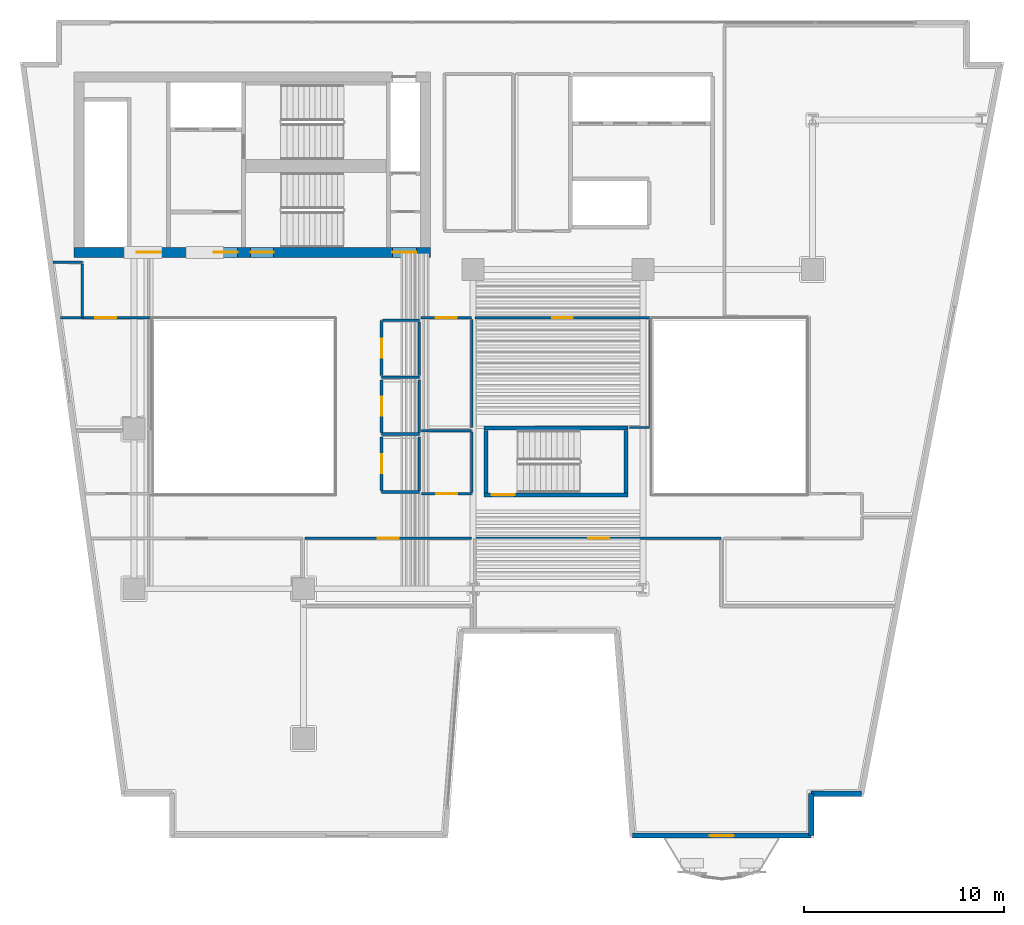
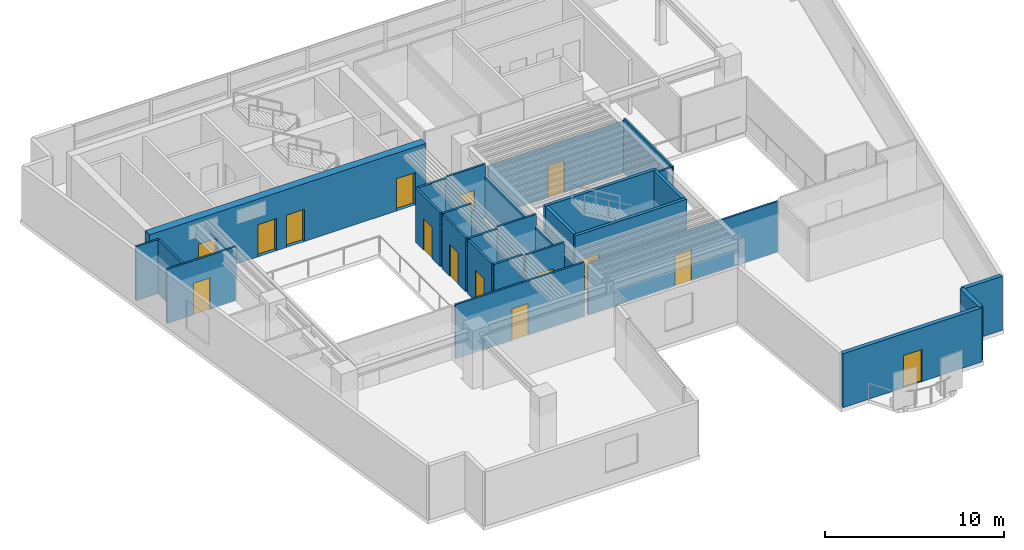
# One storey, part 6 of 12: 31 walls, 15 doors, 15 openings.
"""IFC4 building model written with IfcOpenShell, lengths in metres."""

from ifc_helpers import new_model, si_unit, direction, frame, frame_2d, origin, place, context, subcontext, project, spatial, rectangle, extrude, material, layer, layer_set, type_object, element, fill, save


model = new_model("IFC4")

# Units and contexts
model_context = context("Model", 3, precision=1e-05, world=origin(), true_north=direction((0.0, 1.0)))
body_context = subcontext(model_context, "Body", "Model", "MODEL_VIEW")
ifc_project = project(units=[si_unit("LENGTHUNIT", "METRE"), si_unit("AREAUNIT", "SQUARE_METRE"), si_unit("VOLUMEUNIT", "CUBIC_METRE"), si_unit("PLANEANGLEUNIT", "RADIAN"), si_unit("MASSUNIT", "GRAM", prefix="KILO")], contexts=[model_context])

# Site, building, storey
site_placement = place(None, origin())
site = spatial("IfcSite", under=ifc_project, at=site_placement, CompositionType="ELEMENT")
building_placement = place(site_placement, origin())
building = spatial("IfcBuilding", under=site, at=building_placement, Name="Caeloran Harvest Quay", CompositionType="ELEMENT")
storey_placement = place(building_placement, frame((0.0, 0.0, 115.35009765625)))
storey = spatial("IfcBuildingStorey", under=building, at=storey_placement, Name="L26", CompositionType="ELEMENT", Elevation=115.35009765625)

# Walls
ifc_material_1 = material(Name="Precast concrete C50/60", Category="concrete")
ifc_layer_1 = layer(ifc_material_1, 0.260009765625, Name="Precast concrete C50/60")
ifc_layer_set_1 = layer_set([ifc_layer_1], Name="Precast concrete C50/60")
wall_type_1 = type_object("IfcWallType", Name="ENV-WALL-EW-260", PredefinedType="STANDARD", material=ifc_layer_set_1)
wall_1_placement = place(storey_placement, frame((44.96337890625, 4.72998046875, 0.0), z_axis=(0.0, 0.0, 1.0), x_axis=(-1.0, 0.0, 0.0)))
element("IfcWall", 1, at=wall_1_placement, inside=storey, type_object=wall_type_1, Name="L26 Exterior Precast Concrete Facade Wall 10", PredefinedType="STANDARD", context=body_context, shape_type="SweptSolid", body=[
    extrude(rectangle(XDim=2.5234375, YDim=0.260009765625, at=frame_2d((1.26171875, 0.0))), origin(), (0.0, 0.0, 1.0), 3.68994140625),
])
wall_2_placement = place(storey_placement, frame((42.43994140625, 4.72998046875, 0.0), z_axis=(0.0, 0.0, 1.0), x_axis=(0.0, -1.0, 0.0)))
element("IfcWall", 2, at=wall_2_placement, inside=storey, type_object=wall_type_1, Name="L26 Exterior Precast Concrete Facade Wall 11", PredefinedType="STANDARD", context=body_context, shape_type="SweptSolid", body=[
    extrude(rectangle(XDim=2.10009765625, YDim=0.260009765625, at=frame_2d((1.050048828125, 0.0))), origin(), (0.0, 0.0, 1.0), 3.68994140625),
])

# Wall, opening, door
wall_3_placement = place(storey_placement, frame((42.43994140625, 2.6298828125, 0.0), z_axis=(0.0, 0.0, 1.0), x_axis=(-1.0, 0.0, 0.0)))
wall_3 = element("IfcWall", 3, at=wall_3_placement, inside=storey, type_object=wall_type_1, Name="L26 Exterior Precast Concrete Facade Wall 12", PredefinedType="STANDARD", context=body_context, shape_type="SweptSolid", body=[
    extrude(rectangle(XDim=8.96484375, YDim=0.260009765625, at=frame_2d((4.482421875, 0.0))), origin(), (0.0, 0.0, 1.0), 3.68994140625),
])
opening_1_placement = place(wall_3_placement, frame((3.882080078125, 0.0, 0.0)))
opening_1 = element("IfcOpeningElement", 4, at=opening_1_placement, cuts=wall_3, Name="Opening BD-01", PredefinedType="OPENING", context=body_context, shape_type="SweptSolid", body=[
    extrude(rectangle(XDim=1.199951171875, YDim=2.199951171875, at=frame_2d((0.60009765625, 1.10009765625))), frame((0.0, 0.14013671875, 0.0), z_axis=(0.0, -1.0, 0.0), x_axis=(1.0, 0.0, 0.0)), (0.0, 0.0, 1.0), 0.280029296875),
])
ifc_material_2 = material(Name="Thermally Broken Powder-Coated Aluminium and Safety Glass", Category="aluminium")
door_type_1 = type_object("IfcDoorType", Name="EXTDOOR-BD-01", OperationType="NOTDEFINED", PredefinedType="DOOR", material=ifc_material_2)
door_1_placement = place(opening_1_placement, origin())
door_1 = element("IfcDoor", 5, at=door_1_placement, inside=storey, type_object=door_type_1, Name="L26 Planted Balcony Glazed Access Door", OperationType="SINGLE_SWING_LEFT", OverallHeight=2.199951171875, OverallWidth=1.199951171875, PredefinedType="DOOR", context=body_context, shape_type="SweptSolid", body=[
    extrude(rectangle(XDim=1.199951171875, YDim=2.199951171875, at=frame_2d((0.60009765625, 1.10009765625))), frame((0.0, 0.02490234375, 0.0), z_axis=(0.0, -1.0, 0.0), x_axis=(1.0, 0.0, 0.0)), (0.0, 0.0, 1.0), 0.050048828125),
])
fill(opening_1, door_1)

ifc_material_3 = material(Name="Twin-Stud Mineral-Wool Acoustic Gypsum Partition", Category="gypsum")
ifc_layer_2 = layer(ifc_material_3, 0.125, Name="Twin-Stud Mineral-Wool Acoustic Gypsum Partition")
ifc_layer_set_2 = layer_set([ifc_layer_2], Name="Twin-Stud Mineral-Wool Acoustic Gypsum Partition")
wall_type_2 = type_object("IfcWallType", Name="INT-WALL-PW-125", PredefinedType="PARTITIONING", material=ifc_layer_set_2)
wall_4_placement = place(storey_placement, frame((25.6474609375, 17.52001953125, 0.0), z_axis=(0.0, 0.0, 1.0), x_axis=(1.0, 0.0, 0.0)))
wall_4 = element("IfcWall", 6, at=wall_4_placement, inside=storey, type_object=wall_type_2, Name="Crop Genomics Wet Laboratory Partition Wall", PredefinedType="PARTITIONING", context=body_context, shape_type="SweptSolid", body=[
    extrude(rectangle(XDim=12.2724609375, YDim=0.125, at=frame_2d((6.13623046875, 0.0))), origin(), (0.0, 0.0, 1.0), 3.474853515625),
])
opening_2_placement = place(wall_4_placement, frame((5.611328125, 0.0, 0.0)))
opening_2 = element("IfcOpeningElement", 7, at=opening_2_placement, cuts=wall_4, Name="Opening ID-03", PredefinedType="OPENING", context=body_context, shape_type="SweptSolid", body=[
    extrude(rectangle(XDim=1.050048828125, YDim=2.14990234375, at=frame_2d((0.52490234375, 1.074951171875))), frame((0.0, 0.072509765625, 0.0), z_axis=(0.0, -1.0, 0.0), x_axis=(1.0, 0.0, 0.0)), (0.0, 0.0, 1.0), 0.14501953125),
])
ifc_material_4 = material(Name="FSC Solid-Core Oak Timber Leaf", Category="wood")
door_type_2 = type_object("IfcDoorType", Name="INTDOOR-ID-03", OperationType="NOTDEFINED", PredefinedType="DOOR", material=ifc_material_4)
door_2_placement = place(opening_2_placement, origin())
door_2 = element("IfcDoor", 8, at=door_2_placement, inside=storey, type_object=door_type_2, Name="Crop Genomics Wet Laboratory Access Door", OperationType="SINGLE_SWING_RIGHT", OverallHeight=2.14990234375, OverallWidth=1.050048828125, PredefinedType="DOOR", context=body_context, shape_type="SweptSolid", body=[
    extrude(rectangle(XDim=1.050048828125, YDim=2.14990234375, at=frame_2d((0.52490234375, 1.074951171875))), frame((0.0, 0.02490234375, 0.0), z_axis=(0.0, -1.0, 0.0), x_axis=(1.0, 0.0, 0.0)), (0.0, 0.0, 1.0), 0.050048828125),
])
fill(opening_2, door_2)

wall_5_placement = place(storey_placement, frame((17.080078125, 17.52001953125, 0.0), z_axis=(0.0, 0.0, 1.0), x_axis=(1.0, 0.0, 0.0)))
wall_5 = element("IfcWall", 9, at=wall_5_placement, inside=storey, type_object=wall_type_2, Name="Phenotyping Sensor Laboratory Partition Wall", PredefinedType="PARTITIONING", context=body_context, shape_type="SweptSolid", body=[
    extrude(rectangle(XDim=8.33984375, YDim=0.125, at=frame_2d((4.169921875, 0.0))), origin(), (0.0, 0.0, 1.0), 3.68994140625),
])
opening_3_placement = place(wall_5_placement, frame((3.64501953125, 0.0, 0.0)))
opening_3 = element("IfcOpeningElement", 10, at=opening_3_placement, cuts=wall_5, Name="Opening ID-03", PredefinedType="OPENING", context=body_context, shape_type="SweptSolid", body=[
    extrude(rectangle(XDim=1.050048828125, YDim=2.14990234375, at=frame_2d((0.52490234375, 1.074951171875))), frame((0.0, 0.072509765625, 0.0), z_axis=(0.0, -1.0, 0.0), x_axis=(1.0, 0.0, 0.0)), (0.0, 0.0, 1.0), 0.14501953125),
])
door_3_placement = place(opening_3_placement, origin())
door_3 = element("IfcDoor", 11, at=door_3_placement, inside=storey, type_object=door_type_2, Name="Phenotyping Sensor Laboratory Access Door", OperationType="SINGLE_SWING_LEFT", OverallHeight=2.14990234375, OverallWidth=1.050048828125, PredefinedType="DOOR", context=body_context, shape_type="SweptSolid", body=[
    extrude(rectangle(XDim=1.050048828125, YDim=2.14990234375, at=frame_2d((0.52490234375, 1.074951171875))), frame((0.0, 0.02490234375, 0.0), z_axis=(0.0, -1.0, 0.0), x_axis=(1.0, 0.0, 0.0)), (0.0, 0.0, 1.0), 0.050048828125),
])
fill(opening_3, door_3)

wall_6_placement = place(storey_placement, frame((25.419921875, 19.75, 0.0), z_axis=(0.0, 0.0, 1.0), x_axis=(-1.0, 0.0, 0.0)))
wall_6 = element("IfcWall", 12, at=wall_6_placement, inside=storey, type_object=wall_type_2, Name="R&D Project Conference Room Partition Wall", PredefinedType="PARTITIONING", context=body_context, shape_type="SweptSolid", body=[
    extrude(rectangle(XDim=2.510009765625, YDim=0.125, at=frame_2d((1.2548828125, 0.0))), origin(), (0.0, 0.0, 1.0), 3.68994140625),
])
opening_4_placement = place(wall_6_placement, frame((0.72998046875, 0.0, 0.0)))
opening_4 = element("IfcOpeningElement", 13, at=opening_4_placement, cuts=wall_6, Name="Opening ID-03", PredefinedType="OPENING", context=body_context, shape_type="SweptSolid", body=[
    extrude(rectangle(XDim=1.050048828125, YDim=2.14990234375, at=frame_2d((0.52490234375, 1.074951171875))), frame((0.0, 0.072509765625, 0.0), z_axis=(0.0, -1.0, 0.0), x_axis=(1.0, 0.0, 0.0)), (0.0, 0.0, 1.0), 0.14501953125),
])
door_4_placement = place(opening_4_placement, origin())
door_4 = element("IfcDoor", 14, at=door_4_placement, inside=storey, type_object=door_type_2, Name="R&D Project Conference Room Access Door", OperationType="SINGLE_SWING_LEFT", OverallHeight=2.14990234375, OverallWidth=1.050048828125, PredefinedType="DOOR", context=body_context, shape_type="SweptSolid", body=[
    extrude(rectangle(XDim=1.050048828125, YDim=2.14990234375, at=frame_2d((0.52490234375, 1.074951171875))), frame((0.0, 0.02490234375, 0.0), z_axis=(0.0, -1.0, 0.0), x_axis=(1.0, 0.0, 0.0)), (0.0, 0.0, 1.0), 0.050048828125),
])
fill(opening_4, door_4)

# Walls
wall_7_placement = place(storey_placement, frame((22.909912109375, 22.919921875, 0.0), z_axis=(0.0, 0.0, 1.0), x_axis=(1.0, 0.0, 0.0)))
element("IfcWall", 15, at=wall_7_placement, inside=storey, type_object=wall_type_2, Name="R&D Project Conference Room Partition Wall", PredefinedType="PARTITIONING", context=body_context, shape_type="SweptSolid", body=[
    extrude(rectangle(XDim=2.510009765625, YDim=0.125, at=frame_2d((1.2548828125, 0.0))), origin(), (0.0, 0.0, 1.0), 3.68994140625),
])
wall_8_placement = place(storey_placement, frame((25.419921875, 22.8525390625, 0.0), z_axis=(0.0, 0.0, 1.0), x_axis=(0.0, -1.0, 0.0)))
element("IfcWall", 16, at=wall_8_placement, inside=storey, type_object=wall_type_2, Name="R&D Project Conference Room Partition Wall", PredefinedType="PARTITIONING", context=body_context, shape_type="SweptSolid", body=[
    extrude(rectangle(XDim=3.03515625, YDim=0.125, at=frame_2d((1.517578125, 0.0))), origin(), (0.0, 0.0, 1.0), 2.875),
])

# Wall, opening, door
wall_9_placement = place(storey_placement, frame((22.889892578125, 28.570068359375, 0.0), z_axis=(0.0, 0.0, 1.0), x_axis=(1.0, 0.0, 0.0)))
wall_9 = element("IfcWall", 17, at=wall_9_placement, inside=storey, type_object=wall_type_2, Name="Instrument Calibration Laboratory Partition Wall", PredefinedType="PARTITIONING", context=body_context, shape_type="SweptSolid", body=[
    extrude(rectangle(XDim=2.530029296875, YDim=0.125, at=frame_2d((1.26513671875, 0.0))), origin(), (0.0, 0.0, 1.0), 3.68994140625),
])
opening_5_placement = place(wall_9_placement, frame((0.739990234375, 0.0, 0.0)))
opening_5 = element("IfcOpeningElement", 18, at=opening_5_placement, cuts=wall_9, Name="Opening ID-03", PredefinedType="OPENING", context=body_context, shape_type="SweptSolid", body=[
    extrude(rectangle(XDim=1.050048828125, YDim=2.14990234375, at=frame_2d((0.52490234375, 1.074951171875))), frame((0.0, 0.072509765625, 0.0), z_axis=(0.0, -1.0, 0.0), x_axis=(1.0, 0.0, 0.0)), (0.0, 0.0, 1.0), 0.14501953125),
])
door_5_placement = place(opening_5_placement, origin())
door_5 = element("IfcDoor", 19, at=door_5_placement, inside=storey, type_object=door_type_2, Name="Instrument Calibration Laboratory Access Door", OperationType="SINGLE_SWING_LEFT", OverallHeight=2.14990234375, OverallWidth=1.050048828125, PredefinedType="DOOR", context=body_context, shape_type="SweptSolid", body=[
    extrude(rectangle(XDim=1.050048828125, YDim=2.14990234375, at=frame_2d((0.52490234375, 1.074951171875))), frame((0.0, 0.02490234375, 0.0), z_axis=(0.0, -1.0, 0.0), x_axis=(1.0, 0.0, 0.0)), (0.0, 0.0, 1.0), 0.050048828125),
])
fill(opening_5, door_5)

# Wall
wall_10_placement = place(storey_placement, frame((25.419921875, 28.50244140625, 0.0), z_axis=(0.0, 0.0, 1.0), x_axis=(0.0, -1.0, 0.0)))
element("IfcWall", 20, at=wall_10_placement, inside=storey, type_object=wall_type_2, Name="Instrument Calibration Laboratory Partition Wall", PredefinedType="PARTITIONING", context=body_context, shape_type="SweptSolid", body=[
    extrude(rectangle(XDim=5.42236328125, YDim=0.125, at=frame_2d((2.711181640625, 0.0))), origin(), (0.0, 0.0, 1.0), 2.875),
])

# Wall, opening, door
wall_11_placement = place(storey_placement, frame((25.580078125, 28.570068359375, 0.0), z_axis=(0.0, 0.0, 1.0), x_axis=(1.0, 0.0, 0.0)))
wall_11 = element("IfcWall", 21, at=wall_11_placement, inside=storey, type_object=wall_type_2, Name="Agri-Robotics Open Research Workspace 8 Partition Wall", PredefinedType="PARTITIONING", context=body_context, shape_type="SweptSolid", body=[
    extrude(rectangle(XDim=8.7900390625, YDim=0.125, at=frame_2d((4.39501953125, 0.0))), origin(), (0.0, 0.0, 1.0), 3.474853515625),
])
opening_6_placement = place(wall_11_placement, frame((3.8701171875, 0.0, 0.0)))
opening_6 = element("IfcOpeningElement", 22, at=opening_6_placement, cuts=wall_11, Name="Opening ID-03", PredefinedType="OPENING", context=body_context, shape_type="SweptSolid", body=[
    extrude(rectangle(XDim=1.050048828125, YDim=2.14990234375, at=frame_2d((0.52490234375, 1.074951171875))), frame((0.0, 0.072509765625, 0.0), z_axis=(0.0, -1.0, 0.0), x_axis=(1.0, 0.0, 0.0)), (0.0, 0.0, 1.0), 0.14501953125),
])
door_6_placement = place(opening_6_placement, origin())
door_6 = element("IfcDoor", 23, at=door_6_placement, inside=storey, type_object=door_type_2, Name="Agri-Robotics Open Research Workspace 8 Access Door", OperationType="SINGLE_SWING_RIGHT", OverallHeight=2.14990234375, OverallWidth=1.050048828125, PredefinedType="DOOR", context=body_context, shape_type="SweptSolid", body=[
    extrude(rectangle(XDim=1.050048828125, YDim=2.14990234375, at=frame_2d((0.52490234375, 1.074951171875))), frame((0.0, 0.02490234375, 0.0), z_axis=(0.0, -1.0, 0.0), x_axis=(1.0, 0.0, 0.0)), (0.0, 0.0, 1.0), 0.050048828125),
])
fill(opening_6, door_6)

# Walls
wall_12_placement = place(storey_placement, frame((34.3701171875, 28.50244140625, 0.0), z_axis=(0.0, 0.0, 1.0), x_axis=(0.0, -1.0, 0.0)))
element("IfcWall", 24, at=wall_12_placement, inside=storey, type_object=wall_type_2, Name="Agri-Robotics Open Research Workspace 8 Partition Wall", PredefinedType="PARTITIONING", context=body_context, shape_type="SweptSolid", body=[
    extrude(rectangle(XDim=5.42236328125, YDim=0.125, at=frame_2d((2.711181640625, 0.0))), origin(), (0.0, 0.0, 1.0), 3.68994140625),
])
wall_13_placement = place(storey_placement, frame((34.302490234375, 23.080078125, 0.0), z_axis=(0.0, 0.0, 1.0), x_axis=(-1.0, 0.0, 0.0)))
element("IfcWall", 25, at=wall_13_placement, inside=storey, type_object=wall_type_2, Name="Agri-Robotics Open Research Workspace 8 Partition Wall", PredefinedType="PARTITIONING", context=body_context, shape_type="SweptSolid", body=[
    extrude(rectangle(XDim=0.97802734375, YDim=0.125, at=frame_2d((0.489013671875, 0.0))), origin(), (0.0, 0.0, 1.0), 3.68994140625),
])
wall_14_placement = place(storey_placement, frame((4.44775390625, 31.35009765625, 0.0), z_axis=(0.0, 0.0, 1.0), x_axis=(1.0, 0.0, 0.0)))
element("IfcWall", 26, at=wall_14_placement, inside=storey, type_object=wall_type_2, Name="Crop Genomics Wet Laboratory 9 Partition Wall", PredefinedType="PARTITIONING", context=body_context, shape_type="SweptSolid", body=[
    extrude(rectangle(XDim=1.47216796875, YDim=0.125, at=frame_2d((0.736083984375, 0.0))), origin(), (0.0, 0.0, 1.0), 3.68994140625),
])
wall_15_placement = place(storey_placement, frame((5.919921875, 31.282470703125, 0.0), z_axis=(0.0, 0.0, 1.0), x_axis=(0.0, -1.0, 0.0)))
element("IfcWall", 27, at=wall_15_placement, inside=storey, type_object=wall_type_2, Name="Crop Genomics Wet Laboratory 9 Partition Wall", PredefinedType="PARTITIONING", context=body_context, shape_type="SweptSolid", body=[
    extrude(rectangle(XDim=2.682373046875, YDim=0.125, at=frame_2d((1.34130859375, 0.0))), origin(), (0.0, 0.0, 1.0), 3.68994140625),
])

# Wall, opening, door
wall_16_placement = place(storey_placement, frame((4.832275390625, 28.570068359375, 0.0), z_axis=(0.0, 0.0, 1.0), x_axis=(1.0, 0.0, 0.0)))
wall_16 = element("IfcWall", 28, at=wall_16_placement, inside=storey, type_object=wall_type_2, Name="Crop Genomics Wet Laboratory 9 Partition Wall", PredefinedType="PARTITIONING", context=body_context, shape_type="SweptSolid", body=[
    extrude(rectangle(XDim=4.48779296875, YDim=0.125, at=frame_2d((2.243896484375, 0.0))), origin(), (0.0, 0.0, 1.0), 3.68994140625),
])
opening_7_placement = place(wall_16_placement, frame((1.718994140625, 0.0, 0.0)))
opening_7 = element("IfcOpeningElement", 29, at=opening_7_placement, cuts=wall_16, Name="Opening ID-03", PredefinedType="OPENING", context=body_context, shape_type="SweptSolid", body=[
    extrude(rectangle(XDim=1.050048828125, YDim=2.14990234375, at=frame_2d((0.52490234375, 1.074951171875))), frame((0.0, 0.072509765625, 0.0), z_axis=(0.0, -1.0, 0.0), x_axis=(1.0, 0.0, 0.0)), (0.0, 0.0, 1.0), 0.14501953125),
])
door_7_placement = place(opening_7_placement, origin())
door_7 = element("IfcDoor", 30, at=door_7_placement, inside=storey, type_object=door_type_2, Name="Crop Genomics Wet Laboratory 9 Access Door", OperationType="SINGLE_SWING_LEFT", OverallHeight=2.14990234375, OverallWidth=1.050048828125, PredefinedType="DOOR", context=body_context, shape_type="SweptSolid", body=[
    extrude(rectangle(XDim=1.050048828125, YDim=2.14990234375, at=frame_2d((0.52490234375, 1.074951171875))), frame((0.0, 0.02490234375, 0.0), z_axis=(0.0, -1.0, 0.0), x_axis=(1.0, 0.0, 0.0)), (0.0, 0.0, 1.0), 0.050048828125),
])
fill(opening_7, door_7)

# Wall
ifc_material_5 = material(Name="Moisture-Resistant Cement-Board Sanitary Partition", Category="gypsum")
ifc_layer_3 = layer(ifc_material_5, 0.139892578125, Name="Moisture-Resistant Cement-Board Sanitary Partition")
ifc_layer_set_3 = layer_set([ifc_layer_3], Name="Moisture-Resistant Cement-Board Sanitary Partition")
wall_type_3 = type_object("IfcWallType", Name="INT-WALL-PW-140", PredefinedType="PARTITIONING", material=ifc_layer_set_3)
wall_17_placement = place(storey_placement, frame((22.800048828125, 25.60009765625, 0.0), z_axis=(0.0, 0.0, 1.0), x_axis=(-1.0, 0.0, 0.0)))
element("IfcWall", 31, at=wall_17_placement, inside=storey, type_object=wall_type_3, Name="L26 Male Washroom WC Partition Wall", PredefinedType="PARTITIONING", context=body_context, shape_type="SweptSolid", body=[
    extrude(rectangle(XDim=1.89013671875, YDim=0.139892578125, at=frame_2d((0.945068359375, 0.0))), origin(), (0.0, 0.0, 1.0), 3.68994140625),
])

# Wall, opening, door
wall_18_placement = place(storey_placement, frame((20.909912109375, 25.675048828125, 0.0), z_axis=(0.0, 0.0, 1.0), x_axis=(0.0, 1.0, 0.0)))
wall_18 = element("IfcWall", 32, at=wall_18_placement, inside=storey, type_object=wall_type_3, Name="L26 Male Washroom WC Partition Wall", PredefinedType="PARTITIONING", context=body_context, shape_type="SweptSolid", body=[
    extrude(rectangle(XDim=2.77490234375, YDim=0.139892578125, at=frame_2d((1.387451171875, 0.0))), origin(), (0.0, 0.0, 1.0), 3.68994140625),
])
opening_8_placement = place(wall_18_placement, frame((0.91259765625, 0.0, 0.0)))
opening_8 = element("IfcOpeningElement", 33, at=opening_8_placement, cuts=wall_18, Name="Opening WC-01", PredefinedType="OPENING", context=body_context, shape_type="SweptSolid", body=[
    extrude(rectangle(XDim=0.949951171875, YDim=2.14990234375, at=frame_2d((0.47509765625, 1.074951171875))), frame((0.0, 0.080078125, 0.0), z_axis=(0.0, -1.0, 0.0), x_axis=(1.0, 0.0, 0.0)), (0.0, 0.0, 1.0), 0.159912109375),
])
ifc_material_6 = material(Name="High-Pressure Laminate Moisture-Resistant Timber", Category="wood")
door_type_3 = type_object("IfcDoorType", Name="INTDOOR-WC-01", OperationType="NOTDEFINED", PredefinedType="DOOR", material=ifc_material_6)
door_8_placement = place(opening_8_placement, origin())
door_8 = element("IfcDoor", 34, at=door_8_placement, inside=storey, type_object=door_type_3, Name="L26 Male Washroom WC Access Door", OperationType="SINGLE_SWING_RIGHT", OverallHeight=2.14990234375, OverallWidth=0.949951171875, PredefinedType="DOOR", context=body_context, shape_type="SweptSolid", body=[
    extrude(rectangle(XDim=0.949951171875, YDim=2.14990234375, at=frame_2d((0.47509765625, 1.074951171875))), frame((0.0, 0.02490234375, 0.0), z_axis=(0.0, -1.0, 0.0), x_axis=(1.0, 0.0, 0.0)), (0.0, 0.0, 1.0), 0.050048828125),
])
fill(opening_8, door_8)

# Walls
wall_19_placement = place(storey_placement, frame((20.985107421875, 28.449951171875, 0.0), z_axis=(0.0, 0.0, 1.0), x_axis=(1.0, 0.0, 0.0)))
element("IfcWall", 35, at=wall_19_placement, inside=storey, type_object=wall_type_3, Name="L26 Male Washroom WC Partition Wall", PredefinedType="PARTITIONING", context=body_context, shape_type="SweptSolid", body=[
    extrude(rectangle(XDim=1.81494140625, YDim=0.139892578125, at=frame_2d((0.907470703125, 0.0))), origin(), (0.0, 0.0, 1.0), 3.68994140625),
])
wall_20_placement = place(storey_placement, frame((22.800048828125, 28.375, 0.0), z_axis=(0.0, 0.0, 1.0), x_axis=(0.0, -1.0, 0.0)))
element("IfcWall", 36, at=wall_20_placement, inside=storey, type_object=wall_type_3, Name="L26 Male Washroom WC Partition Wall", PredefinedType="PARTITIONING", context=body_context, shape_type="SweptSolid", body=[
    extrude(rectangle(XDim=2.699951171875, YDim=0.139892578125, at=frame_2d((1.35009765625, 0.0))), origin(), (0.0, 0.0, 1.0), 3.31494140625),
])
wall_21_placement = place(storey_placement, frame((22.800048828125, 22.75, 0.0), z_axis=(0.0, 0.0, 1.0), x_axis=(-1.0, 0.0, 0.0)))
element("IfcWall", 37, at=wall_21_placement, inside=storey, type_object=wall_type_3, Name="L26 Female Washroom WC Partition Wall", PredefinedType="PARTITIONING", context=body_context, shape_type="SweptSolid", body=[
    extrude(rectangle(XDim=1.89013671875, YDim=0.139892578125, at=frame_2d((0.945068359375, 0.0))), origin(), (0.0, 0.0, 1.0), 3.68994140625),
])

# Wall, opening, door
wall_22_placement = place(storey_placement, frame((20.909912109375, 22.824951171875, 0.0), z_axis=(0.0, 0.0, 1.0), x_axis=(0.0, 1.0, 0.0)))
wall_22 = element("IfcWall", 38, at=wall_22_placement, inside=storey, type_object=wall_type_3, Name="L26 Female Washroom WC Partition Wall", PredefinedType="PARTITIONING", context=body_context, shape_type="SweptSolid", body=[
    extrude(rectangle(XDim=2.625, YDim=0.139892578125, at=frame_2d((1.3125, 0.0))), origin(), (0.0, 0.0, 1.0), 3.68994140625),
])
opening_9_placement = place(wall_22_placement, frame((0.83740234375, 0.0, 0.0)))
opening_9 = element("IfcOpeningElement", 39, at=opening_9_placement, cuts=wall_22, Name="Opening WC-01", PredefinedType="OPENING", context=body_context, shape_type="SweptSolid", body=[
    extrude(rectangle(XDim=0.949951171875, YDim=2.14990234375, at=frame_2d((0.47509765625, 1.074951171875))), frame((0.0, 0.080078125, 0.0), z_axis=(0.0, -1.0, 0.0), x_axis=(1.0, 0.0, 0.0)), (0.0, 0.0, 1.0), 0.159912109375),
])
door_9_placement = place(opening_9_placement, origin())
door_9 = element("IfcDoor", 40, at=door_9_placement, inside=storey, type_object=door_type_3, Name="L26 Female Washroom WC Access Door", OperationType="SINGLE_SWING_LEFT", OverallHeight=2.14990234375, OverallWidth=0.949951171875, PredefinedType="DOOR", context=body_context, shape_type="SweptSolid", body=[
    extrude(rectangle(XDim=0.949951171875, YDim=2.14990234375, at=frame_2d((0.47509765625, 1.074951171875))), frame((0.0, 0.02490234375, 0.0), z_axis=(0.0, -1.0, 0.0), x_axis=(1.0, 0.0, 0.0)), (0.0, 0.0, 1.0), 0.050048828125),
])
fill(opening_9, door_9)

# Walls
wall_23_placement = place(storey_placement, frame((22.800048828125, 25.449951171875, 0.0), z_axis=(0.0, 0.0, 1.0), x_axis=(0.0, -1.0, 0.0)))
element("IfcWall", 41, at=wall_23_placement, inside=storey, type_object=wall_type_3, Name="L26 Female Washroom WC Partition Wall", PredefinedType="PARTITIONING", context=body_context, shape_type="SweptSolid", body=[
    extrude(rectangle(XDim=2.625, YDim=0.139892578125, at=frame_2d((1.3125, 0.0))), origin(), (0.0, 0.0, 1.0), 3.31494140625),
])
wall_24_placement = place(storey_placement, frame((22.800048828125, 19.85009765625, 0.0), z_axis=(0.0, 0.0, 1.0), x_axis=(-1.0, 0.0, 0.0)))
element("IfcWall", 42, at=wall_24_placement, inside=storey, type_object=wall_type_3, Name="L26 Accessible Unisex Washroom WC Partition Wall", PredefinedType="PARTITIONING", context=body_context, shape_type="SweptSolid", body=[
    extrude(rectangle(XDim=1.89013671875, YDim=0.139892578125, at=frame_2d((0.945068359375, 0.0))), origin(), (0.0, 0.0, 1.0), 3.68994140625),
])

# Wall, opening, door
wall_25_placement = place(storey_placement, frame((20.909912109375, 19.925048828125, 0.0), z_axis=(0.0, 0.0, 1.0), x_axis=(0.0, 1.0, 0.0)))
wall_25 = element("IfcWall", 43, at=wall_25_placement, inside=storey, type_object=wall_type_3, Name="L26 Accessible Unisex Washroom WC Partition Wall", PredefinedType="PARTITIONING", context=body_context, shape_type="SweptSolid", body=[
    extrude(rectangle(XDim=2.675048828125, YDim=0.139892578125, at=frame_2d((1.33740234375, 0.0))), origin(), (0.0, 0.0, 1.0), 3.68994140625),
])
opening_10_placement = place(wall_25_placement, frame((0.862548828125, 0.0, 0.0)))
opening_10 = element("IfcOpeningElement", 44, at=opening_10_placement, cuts=wall_25, Name="Opening WC-01", PredefinedType="OPENING", context=body_context, shape_type="SweptSolid", body=[
    extrude(rectangle(XDim=0.949951171875, YDim=2.14990234375, at=frame_2d((0.47509765625, 1.074951171875))), frame((0.0, 0.080078125, 0.0), z_axis=(0.0, -1.0, 0.0), x_axis=(1.0, 0.0, 0.0)), (0.0, 0.0, 1.0), 0.159912109375),
])
door_10_placement = place(opening_10_placement, origin())
door_10 = element("IfcDoor", 45, at=door_10_placement, inside=storey, type_object=door_type_3, Name="L26 Accessible Unisex Washroom WC Access Door", OperationType="SINGLE_SWING_RIGHT", OverallHeight=2.14990234375, OverallWidth=0.949951171875, PredefinedType="DOOR", context=body_context, shape_type="SweptSolid", body=[
    extrude(rectangle(XDim=0.949951171875, YDim=2.14990234375, at=frame_2d((0.47509765625, 1.074951171875))), frame((0.0, 0.02490234375, 0.0), z_axis=(0.0, -1.0, 0.0), x_axis=(1.0, 0.0, 0.0)), (0.0, 0.0, 1.0), 0.050048828125),
])
fill(opening_10, door_10)

# Wall
wall_26_placement = place(storey_placement, frame((22.800048828125, 22.60009765625, 0.0), z_axis=(0.0, 0.0, 1.0), x_axis=(0.0, -1.0, 0.0)))
element("IfcWall", 46, at=wall_26_placement, inside=storey, type_object=wall_type_3, Name="L26 Accessible Unisex Washroom WC Partition Wall", PredefinedType="PARTITIONING", context=body_context, shape_type="SweptSolid", body=[
    extrude(rectangle(XDim=2.675048828125, YDim=0.139892578125, at=frame_2d((1.33740234375, 0.0))), origin(), (0.0, 0.0, 1.0), 3.31494140625),
])

# Wall, openings, doors
ifc_material_7 = material(Name="Concrete C70/85", Category="concrete")
ifc_layer_4 = layer(ifc_material_7, 0.5, Name="Concrete C70/85")
ifc_layer_set_4 = layer_set([ifc_layer_4], Name="Concrete C70/85")
wall_type_4 = type_object("IfcWallType", Name="STR-WALL-CW-500", PredefinedType="SHEAR", material=ifc_layer_set_4)
wall_27_placement = place(storey_placement, frame((5.5, 31.85009765625, 0.0), z_axis=(0.0, 0.0, 1.0), x_axis=(1.0, 0.0, 0.0)))
wall_27 = element("IfcWall", 47, at=wall_27_placement, inside=storey, type_object=wall_type_4, Name="L26 Rear Core Shear Wall S", PredefinedType="SHEAR", context=body_context, shape_type="SweptSolid", body=[
    extrude(rectangle(XDim=17.85009765625, YDim=0.5, at=frame_2d((8.925048828125, 0.0))), origin(), (0.0, 0.0, 1.0), 3.949951171875),
])
opening_11_placement = place(wall_27_placement, frame((3.14990234375, 0.0, 0.0)))
opening_11 = element("IfcOpeningElement", 48, at=opening_11_placement, cuts=wall_27, Name="Opening FD-01", PredefinedType="OPENING", context=body_context, shape_type="SweptSolid", body=[
    extrude(rectangle(XDim=1.199951171875, YDim=2.199951171875, at=frame_2d((0.60009765625, 1.10009765625))), frame((0.0, 0.260009765625, 0.0), z_axis=(0.0, -1.0, 0.0), x_axis=(1.0, 0.0, 0.0)), (0.0, 0.0, 1.0), 0.52001953125),
])
opening_12_placement = place(wall_27_placement, frame((7.0, 0.0, 0.0)))
opening_12 = element("IfcOpeningElement", 49, at=opening_12_placement, cuts=wall_27, Name="Opening FD-01", PredefinedType="OPENING", context=body_context, shape_type="SweptSolid", body=[
    extrude(rectangle(XDim=1.199951171875, YDim=2.199951171875, at=frame_2d((0.60009765625, 1.10009765625))), frame((0.0, 0.260009765625, 0.0), z_axis=(0.0, -1.0, 0.0), x_axis=(1.0, 0.0, 0.0)), (0.0, 0.0, 1.0), 0.52001953125),
])
opening_13_placement = place(wall_27_placement, frame((8.85009765625, 0.0, 0.0)))
opening_13 = element("IfcOpeningElement", 50, at=opening_13_placement, cuts=wall_27, Name="Opening SD-01", PredefinedType="OPENING", context=body_context, shape_type="SweptSolid", body=[
    extrude(rectangle(XDim=1.14990234375, YDim=2.199951171875, at=frame_2d((0.574951171875, 1.10009765625))), frame((0.0, 0.260009765625, 0.0), z_axis=(0.0, -1.0, 0.0), x_axis=(1.0, 0.0, 0.0)), (0.0, 0.0, 1.0), 0.52001953125),
])
opening_14_placement = place(wall_27_placement, frame((15.949951171875, 0.0, 0.0)))
opening_14 = element("IfcOpeningElement", 51, at=opening_14_placement, cuts=wall_27, Name="Opening FD-01", PredefinedType="OPENING", context=body_context, shape_type="SweptSolid", body=[
    extrude(rectangle(XDim=1.199951171875, YDim=2.199951171875, at=frame_2d((0.60009765625, 1.10009765625))), frame((0.0, 0.260009765625, 0.0), z_axis=(0.0, -1.0, 0.0), x_axis=(1.0, 0.0, 0.0)), (0.0, 0.0, 1.0), 0.52001953125),
])
ifc_material_8 = material(Name="Steel", Category="steel")
door_type_4 = type_object("IfcDoorType", Name="INTDOOR-FD-01", OperationType="NOTDEFINED", PredefinedType="DOOR", material=ifc_material_8)
door_11_placement = place(opening_11_placement, origin())
door_11 = element("IfcDoor", 52, at=door_11_placement, inside=storey, type_object=door_type_4, Name="L26 High-Rise Lift Lobby Fire Door", OperationType="SINGLE_SWING_LEFT", OverallHeight=2.199951171875, OverallWidth=1.199951171875, PredefinedType="DOOR", context=body_context, shape_type="SweptSolid", body=[
    extrude(rectangle(XDim=1.199951171875, YDim=2.199951171875, at=frame_2d((0.60009765625, 1.10009765625))), frame((0.0, 0.02490234375, 0.0), z_axis=(0.0, -1.0, 0.0), x_axis=(1.0, 0.0, 0.0)), (0.0, 0.0, 1.0), 0.050048828125),
])
fill(opening_11, door_11)
door_12_placement = place(opening_12_placement, origin())
door_12 = element("IfcDoor", 53, at=door_12_placement, inside=storey, type_object=door_type_4, Name="L26 Firefighting Lobby Vestibule Fire Door", OperationType="SINGLE_SWING_RIGHT", OverallHeight=2.199951171875, OverallWidth=1.199951171875, PredefinedType="DOOR", context=body_context, shape_type="SweptSolid", body=[
    extrude(rectangle(XDim=1.199951171875, YDim=2.199951171875, at=frame_2d((0.60009765625, 1.10009765625))), frame((0.0, 0.02490234375, 0.0), z_axis=(0.0, -1.0, 0.0), x_axis=(1.0, 0.0, 0.0)), (0.0, 0.0, 1.0), 0.050048828125),
])
fill(opening_12, door_12)
door_13_placement = place(opening_14_placement, origin())
door_13 = element("IfcDoor", 54, at=door_13_placement, inside=storey, type_object=door_type_4, Name="L26 Service Lift Lobby Fire Door", OperationType="SINGLE_SWING_RIGHT", OverallHeight=2.199951171875, OverallWidth=1.199951171875, PredefinedType="DOOR", context=body_context, shape_type="SweptSolid", body=[
    extrude(rectangle(XDim=1.199951171875, YDim=2.199951171875, at=frame_2d((0.60009765625, 1.10009765625))), frame((0.0, 0.02490234375, 0.0), z_axis=(0.0, -1.0, 0.0), x_axis=(1.0, 0.0, 0.0)), (0.0, 0.0, 1.0), 0.050048828125),
])
fill(opening_14, door_13)
door_type_5 = type_object("IfcDoorType", Name="INTDOOR-SD-01", OperationType="NOTDEFINED", PredefinedType="DOOR", material=ifc_material_8)
door_14_placement = place(opening_13_placement, origin())
door_14 = element("IfcDoor", 55, at=door_14_placement, inside=storey, type_object=door_type_5, Name="L26 Protected Stair ST-C2 Exit Door", OperationType="SINGLE_SWING_LEFT", OverallHeight=2.199951171875, OverallWidth=1.14990234375, PredefinedType="DOOR", context=body_context, shape_type="SweptSolid", body=[
    extrude(rectangle(XDim=1.14990234375, YDim=2.199951171875, at=frame_2d((0.574951171875, 1.10009765625))), frame((0.0, 0.02490234375, 0.0), z_axis=(0.0, -1.0, 0.0), x_axis=(1.0, 0.0, 0.0)), (0.0, 0.0, 1.0), 0.050048828125),
])
fill(opening_13, door_14)

# Wall, opening, door
ifc_material_9 = material(Name="Concrete C60/75", Category="concrete")
ifc_layer_5 = layer(ifc_material_9, 0.199951171875, Name="Concrete C60/75")
ifc_layer_set_5 = layer_set([ifc_layer_5], Name="Concrete C60/75")
wall_type_5 = type_object("IfcWallType", Name="STR-WALL-SW-200", PredefinedType="SHEAR", material=ifc_layer_set_5)
wall_28_placement = place(storey_placement, frame((26.050048828125, 19.699951171875, 0.0), z_axis=(0.0, 0.0, 1.0), x_axis=(1.0, 0.0, 0.0)))
wall_28 = element("IfcWall", 56, at=wall_28_placement, inside=storey, type_object=wall_type_5, Name="L26 Stair ST-W1 S RC Shaft Shear Wall", PredefinedType="SHEAR", context=body_context, shape_type="SweptSolid", body=[
    extrude(rectangle(XDim=7.199951171875, YDim=0.199951171875, at=frame_2d((3.60009765625, 0.0))), origin(), (0.0, 0.0, 1.0), 3.949951171875),
])
opening_15_placement = place(wall_28_placement, frame((0.3798828125, 0.0, 0.0)))
opening_15 = element("IfcOpeningElement", 57, at=opening_15_placement, cuts=wall_28, Name="Opening SD-01", PredefinedType="OPENING", context=body_context, shape_type="SweptSolid", body=[
    extrude(rectangle(XDim=1.14990234375, YDim=2.199951171875, at=frame_2d((0.574951171875, 1.10009765625))), frame((0.0, 0.10986328125, 0.0), z_axis=(0.0, -1.0, 0.0), x_axis=(1.0, 0.0, 0.0)), (0.0, 0.0, 1.0), 0.219970703125),
])
door_15_placement = place(opening_15_placement, origin())
door_15 = element("IfcDoor", 58, at=door_15_placement, inside=storey, type_object=door_type_5, Name="L26 Protected Exit Stair ST-W1 Fire Door", OperationType="SINGLE_SWING_RIGHT", OverallHeight=2.199951171875, OverallWidth=1.14990234375, PredefinedType="DOOR", context=body_context, shape_type="SweptSolid", body=[
    extrude(rectangle(XDim=1.14990234375, YDim=2.199951171875, at=frame_2d((0.574951171875, 1.10009765625))), frame((0.0, 0.02490234375, 0.0), z_axis=(0.0, -1.0, 0.0), x_axis=(1.0, 0.0, 0.0)), (0.0, 0.0, 1.0), 0.050048828125),
])
fill(opening_15, door_15)

# Walls
wall_29_placement = place(storey_placement, frame((26.050048828125, 23.050048828125, 0.0), z_axis=(0.0, 0.0, 1.0), x_axis=(1.0, 0.0, 0.0)))
element("IfcWall", 59, at=wall_29_placement, inside=storey, type_object=wall_type_5, Name="L26 Stair ST-W1 N RC Shaft Shear Wall", PredefinedType="SHEAR", context=body_context, shape_type="SweptSolid", body=[
    extrude(rectangle(XDim=7.199951171875, YDim=0.199951171875, at=frame_2d((3.60009765625, 0.0))), origin(), (0.0, 0.0, 1.0), 3.949951171875),
])
for number, where, z_axis, x_axis, name in (
    (60, (26.14990234375, 19.81005859375, 0.0), (0.0, 0.0, 1.0), (0.0, 1.0, 0.0), "L26 Stair ST-W1 W RC Shaft Shear Wall"),
    (61, (33.14990234375, 19.81005859375, 0.0), (0.0, 0.0, 1.0), (0.0, 1.0, 0.0), "L26 Stair ST-W1 E RC Shaft Shear Wall"),
):
    element("IfcWall", number, at=place(storey_placement, frame(where, z_axis=z_axis, x_axis=x_axis)), inside=storey, type_object=wall_type_5, Name=name, PredefinedType="SHEAR", context=body_context, shape_type="SweptSolid", body=[
        extrude(rectangle(XDim=3.1298828125, YDim=0.199951171875, at=frame_2d((1.56494140625, 0.0))), origin(), (0.0, 0.0, 1.0), 3.949951171875),
    ])

save(model, "model.ifc")
